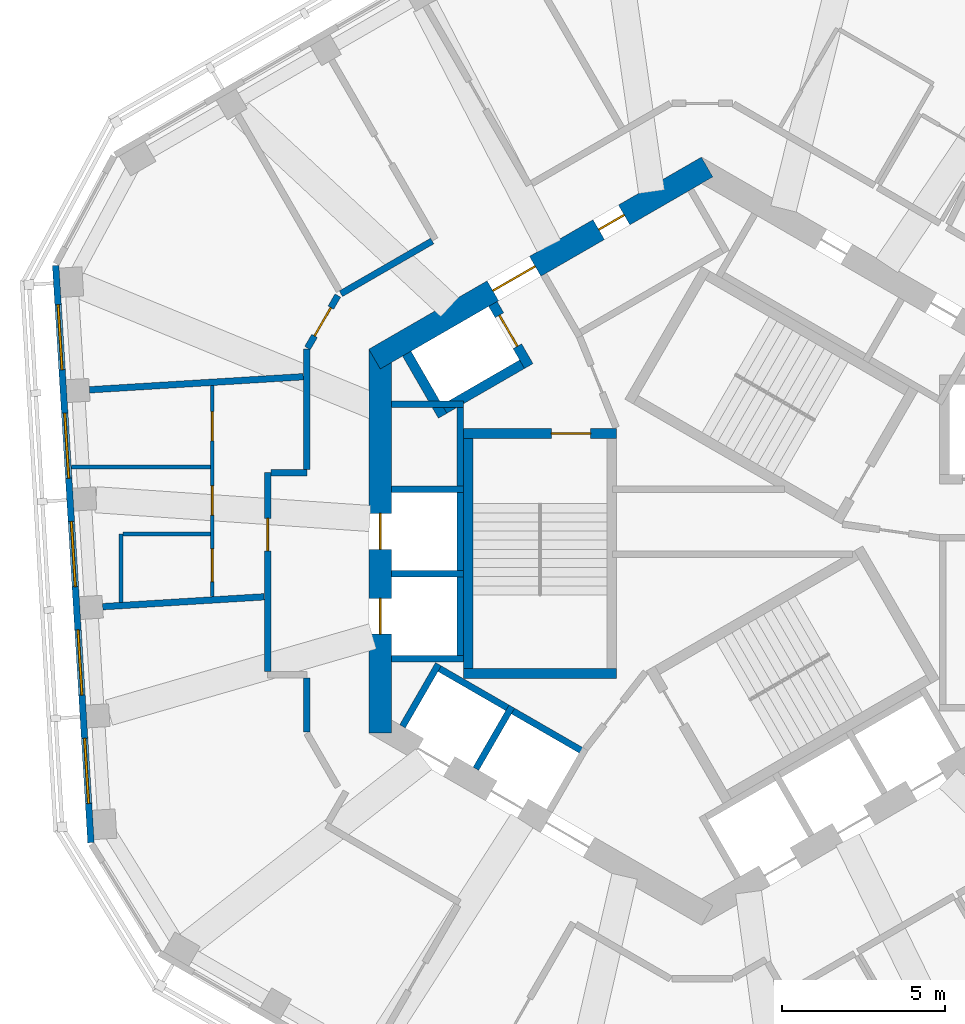
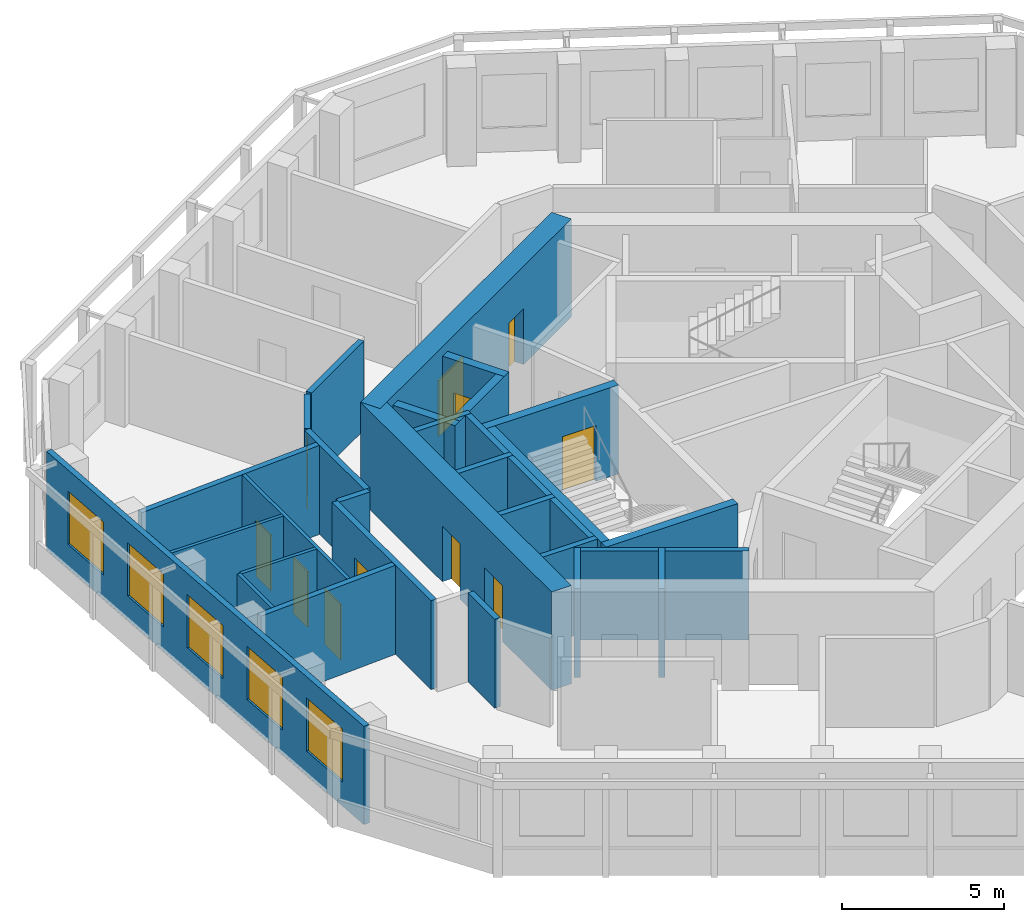
# One storey, part 5 of 11: 29 walls, 11 doors, 5 windows, 16 openings.
"""IFC4 building model written with IfcOpenShell, lengths in metres."""

import ifcopenshell
import ifcopenshell.guid

model = None  # the IFC model being written
_history = None  # IfcOwnerHistory: only IFC2X3 demands one
_inside = {}  # id of a spatial element -> (the spatial element, [elements in it])
_under = {}  # id of a project, library or spatial element -> (it, [spatial elements below it])
_declared = {}  # id of a project -> (the project, [libraries it declares])
_typed = {}  # id of a type object -> (the type object, [elements of that type])
_made_of = {}  # id of a material, layer set ... -> (it, [elements and type objects made of it])


def new_model(schema):
    """Start an empty IFC model of exactly this schema.

    Asked for "IFC4X3", IfcOpenShell would pick the latest addendum, in which some entities
    have other attributes; the version numbers below select the first issue.
    IFC2X3 requires an IfcOwnerHistory on every rooted entity: one is made here for all.
    """
    global model, _history
    if schema == "IFC4X3":
        model = ifcopenshell.file(schema_version=(4, 3, 0, 0))
    else:
        model = ifcopenshell.file(schema=schema)
    _inside.clear()
    _under.clear()
    _declared.clear()
    _typed.clear()
    _made_of.clear()
    _history = None
    if model.schema == "IFC2X3":
        org = make("IfcOrganization", Name="unknown")
        user = make(
            "IfcPersonAndOrganization",
            ThePerson=make("IfcPerson", FamilyName="unknown"),
            TheOrganization=org,
        )
        app = make(
            "IfcApplication",
            ApplicationDeveloper=org,
            Version="unknown",
            ApplicationFullName="unknown",
            ApplicationIdentifier="unknown",
        )
        _history = make(
            "IfcOwnerHistory",
            OwningUser=user,
            OwningApplication=app,
            ChangeAction="ADDED",
            CreationDate=0,
        )
    return model


def make(cls, **values):
    """One entity of the class cls with the attributes given. An attribute that is None is left unset."""
    return model.create_entity(
        cls, **{name: value for name, value in values.items() if value is not None}
    )


def rooted(cls, **values):
    """An entity with a GlobalId (a new one), such as an element, a storey or a relation."""
    return make(cls, GlobalId=ifcopenshell.guid.new(), OwnerHistory=_history, **values)


def si_unit(unit_type, name, prefix=None):
    """IfcSIUnit, for example si_unit("LENGTHUNIT", "METRE", prefix="MILLI")."""
    return make("IfcSIUnit", UnitType=unit_type, Prefix=prefix, Name=name)


def assignment(units):
    """IfcUnitAssignment: the units of a project."""
    return None if units is None else make("IfcUnitAssignment", Units=units)


def point(xyz):
    """IfcCartesianPoint."""
    return None if xyz is None else make("IfcCartesianPoint", Coordinates=xyz)


def direction(xyz):
    """IfcDirection."""
    return None if xyz is None else make("IfcDirection", DirectionRatios=xyz)


def frame(location, z_axis=None, x_axis=None):
    """IfcAxis2Placement3D, a coordinate frame: its origin and axes. An axis left out is left unset."""
    return make(
        "IfcAxis2Placement3D",
        Location=point(location),
        Axis=direction(z_axis),
        RefDirection=direction(x_axis),
    )


def frame_2d(location, x_axis=None):
    """IfcAxis2Placement2D, a coordinate frame in the plane: its origin and x axis."""
    return make(
        "IfcAxis2Placement2D", Location=point(location), RefDirection=direction(x_axis)
    )


def origin():
    """The frame at (0, 0, 0) with its axes left unset."""
    return frame((0.0, 0.0, 0.0))


def place(relative_to, where):
    """IfcLocalPlacement: puts the frame where relative to a parent placement (None: the world)."""
    return make(
        "IfcLocalPlacement", PlacementRelTo=relative_to, RelativePlacement=where
    )


def context(
    kind, dimensions, precision=None, world=None, true_north=None, identifier=None
):
    """IfcGeometricRepresentationContext, for example the 3D "Model" context."""
    return make(
        "IfcGeometricRepresentationContext",
        ContextIdentifier=identifier,
        ContextType=kind,
        CoordinateSpaceDimension=dimensions,
        Precision=precision,
        WorldCoordinateSystem=world,
        TrueNorth=true_north,
    )


def subcontext(parent, identifier, kind, view, scale=None):
    """IfcGeometricRepresentationSubContext, for example "Body" below "Model"."""
    return make(
        "IfcGeometricRepresentationSubContext",
        ContextIdentifier=identifier,
        ContextType=kind,
        ParentContext=parent,
        TargetScale=scale,
        TargetView=view,
    )


def project(units=None, contexts=None):
    """IfcProject with its units and contexts."""
    return rooted(
        "IfcProject",
        Name="project",
        RepresentationContexts=contexts,
        UnitsInContext=assignment(units),
    )


def spatial(cls, under=None, at=None, **own):
    """A site, building, storey or space (cls), placed at a placement, below another one or the project."""
    s = rooted(cls, ObjectPlacement=at, **own)
    if under is not None:
        _under.setdefault(under.id(), (under, []))[1].append(s)
    return s


def profile(cls, at=None, kind="AREA", **sizes):
    """A parametric profile (cls). Its sizes go by their IFC names, for example OverallWidth=200.0."""
    return make(cls, ProfileType=kind, Position=at, **sizes)


def rectangle(**sizes):
    """IfcRectangleProfileDef."""
    return profile("IfcRectangleProfileDef", **sizes)


def extrude(swept, where, along, depth):
    """IfcExtrudedAreaSolid: the profile swept, set in the frame where, extruded along a direction by depth."""
    return make(
        "IfcExtrudedAreaSolid",
        SweptArea=swept,
        Position=where,
        ExtrudedDirection=direction(along),
        Depth=depth,
    )


def shape(context_of_items, identifier, shape_type, items):
    """IfcShapeRepresentation: the items that make up one representation, for example the "Body"."""
    return make(
        "IfcShapeRepresentation",
        ContextOfItems=context_of_items,
        RepresentationIdentifier=identifier,
        RepresentationType=shape_type,
        Items=items,
    )


def material(Name=None, Category=None):
    """IfcMaterial."""
    return make("IfcMaterial", Name=Name, Category=Category)


def layer(
    of_material, thickness, ventilated=None, Name=None, Category=None, Priority=None
):
    """IfcMaterialLayer: one layer of a wall or slab, of a material (None: an air gap)."""
    return make(
        "IfcMaterialLayer",
        Material=of_material,
        LayerThickness=thickness,
        IsVentilated=ventilated,
        Name=Name,
        Category=Category,
        Priority=Priority,
    )


def layer_set(layers, Name=None):
    """IfcMaterialLayerSet."""
    return make("IfcMaterialLayerSet", MaterialLayers=layers, LayerSetName=Name)


def made_of(thing, what):
    """Note that an element or type object is made of a material, layer set ...; save() writes the relation."""
    if what is not None:
        _made_of.setdefault(what.id(), (what, []))[1].append(thing)
    return thing


def type_object(cls, material=None, **own):
    """A type object (cls), such as IfcWallType, which elements share."""
    return made_of(rooted(cls, **own), material)


def element(
    cls,
    number,
    at=None,
    inside=None,
    cuts=None,
    type_object=None,
    material=None,
    context=None,
    identifier="Body",
    shape_type=None,
    held_by="IfcProductDefinitionShape",
    body=None,
    shapes=None,
    **own,
):
    """One element of the class cls, such as IfcWall. Its Tag is "e" and its number.

    at: its placement. inside: the storey or other place that contains it. cuts: it is an
    opening in that element (IfcRelVoidsElement). A single representation is given by context,
    identifier, shape_type and body (its items); several are given by shapes. held_by: the class
    of the entity that holds the representations. save() writes the other relations.
    """
    e = rooted(cls, Tag="e%d" % number, ObjectPlacement=at, **own)
    if body is not None:
        shapes = [shape(context, identifier, shape_type, body)]
    if shapes is not None:
        e.Representation = make(held_by, Representations=shapes)
    if inside is not None:
        _inside.setdefault(inside.id(), (inside, []))[1].append(e)
    if cuts is not None:
        rooted(
            "IfcRelVoidsElement", RelatingBuildingElement=cuts, RelatedOpeningElement=e
        )
    if type_object is not None:
        _typed.setdefault(type_object.id(), (type_object, []))[1].append(e)
    return made_of(e, material)


def fill(opening, filler):
    """IfcRelFillsElement: the door or window that sits in an opening."""
    return rooted(
        "IfcRelFillsElement",
        RelatingOpeningElement=opening,
        RelatedBuildingElement=filler,
    )


def aggregate(whole, parts):
    """IfcRelAggregates: a whole, such as a stair, and the parts it consists of."""
    return rooted("IfcRelAggregates", RelatingObject=whole, RelatedObjects=parts)


def save(model, path):
    """Write the relations noted so far, then the file.

    IfcRelAggregates (storeys below a building ...), IfcRelContainedInSpatialStructure (elements
    in a storey), IfcRelDefinesByType, IfcRelAssociatesMaterial and IfcRelDeclares: one each for
    every whole, place, type object, material and project.
    """
    for whole, parts in _under.values():
        aggregate(whole, parts)
    for where, things in _inside.values():
        rooted(
            "IfcRelContainedInSpatialStructure",
            RelatedElements=things,
            RelatingStructure=where,
        )
    for kind, things in _typed.values():
        rooted("IfcRelDefinesByType", RelatedObjects=things, RelatingType=kind)
    for what, things in _made_of.values():
        rooted("IfcRelAssociatesMaterial", RelatedObjects=things, RelatingMaterial=what)
    for by, libraries in _declared.values():
        rooted("IfcRelDeclares", RelatingContext=by, RelatedDefinitions=libraries)
    model.write(path)


model = new_model("IFC4")

# Units and contexts
model_context = context("Model", 3, precision=1e-05, world=origin(), true_north=direction((0.0, 1.0)))
body_context = subcontext(model_context, "Body", "Model", "MODEL_VIEW")
ifc_project = project(units=[si_unit("LENGTHUNIT", "METRE"), si_unit("AREAUNIT", "SQUARE_METRE"), si_unit("VOLUMEUNIT", "CUBIC_METRE"), si_unit("PLANEANGLEUNIT", "RADIAN"), si_unit("MASSUNIT", "GRAM", prefix="KILO")], contexts=[model_context])

# Site, building, storey
site_placement = place(None, origin())
site = spatial("IfcSite", under=ifc_project, at=site_placement, CompositionType="ELEMENT")
building_placement = place(site_placement, origin())
building = spatial("IfcBuilding", under=site, at=building_placement, Name="Vanh Sen Convention Tower", CompositionType="ELEMENT")
storey_placement = place(building_placement, frame((0.0, 0.0, 296.800048828125)))
storey = spatial("IfcBuildingStorey", under=building, at=storey_placement, Name="L73", CompositionType="ELEMENT", Elevation=296.800048828125)

# Walls
ifc_material_1 = material(Name="Moisture-resistant gypsum board on steel studs", Category="steel")
ifc_layer_1 = layer(ifc_material_1, 0.1201171875)
ifc_layer_set_1 = layer_set([ifc_layer_1], Name="Moisture-resistant gypsum board on steel studs")
wall_type_1 = type_object("IfcWallType", Name="Bathroom partition 120", PredefinedType="PARTITIONING", material=ifc_layer_set_1)
wall_1_placement = place(storey_placement, frame((-19.32421875, 2.273193359375, 0.0), z_axis=(0.0, 0.0, 1.0), x_axis=(1.0, 0.0, 0.0)))
element("IfcWall", 1, at=wall_1_placement, inside=storey, type_object=wall_type_1, Name="Bathroom partition 120", PredefinedType="PARTITIONING", context=body_context, shape_type="SweptSolid", body=[
    extrude(rectangle(XDim=4.26318359375, YDim=0.1201171875, at=frame_2d((2.131591796875, 0.0))), origin(), (0.0, 0.0, 1.0), 3.349853515625),
])
wall_2_placement = place(storey_placement, frame((-17.801025390625, 0.226318359375, 0.0), z_axis=(0.0, 0.0, 1.0), x_axis=(0.0, -1.0, 0.0)))
element("IfcWall", 2, at=wall_2_placement, inside=storey, type_object=wall_type_1, Name="Bathroom partition 120", PredefinedType="PARTITIONING", context=body_context, shape_type="SweptSolid", body=[
    extrude(rectangle(XDim=2.10009765625, YDim=0.1201171875, at=frame_2d((1.050048828125, 0.0))), origin(), (0.0, 0.0, 1.0), 3.349853515625),
])
wall_3_placement = place(storey_placement, frame((-15.06103515625, 0.226318359375, 0.0), z_axis=(0.0, 0.0, 1.0), x_axis=(-1.0, 0.0, 0.0)))
element("IfcWall", 3, at=wall_3_placement, inside=storey, type_object=wall_type_1, Name="Bathroom partition 120", PredefinedType="PARTITIONING", context=body_context, shape_type="SweptSolid", body=[
    extrude(rectangle(XDim=2.679931640625, YDim=0.1201171875, at=frame_2d((1.33984375, 0.0))), origin(), (0.0, 0.0, 1.0), 3.349853515625),
])

# Wall, openings, doors
wall_4_placement = place(storey_placement, frame((-15.0009765625, 4.773193359375, 0.0), z_axis=(0.0, 0.0, 1.0), x_axis=(0.0, -1.0, 0.0)))
wall_4 = element("IfcWall", 4, at=wall_4_placement, inside=storey, type_object=wall_type_1, Name="Bathroom partition 120", PredefinedType="PARTITIONING", context=body_context, shape_type="SweptSolid", body=[
    extrude(rectangle(XDim=6.475830078125, YDim=0.1201171875, at=frame_2d((3.23779296875, 0.0))), origin(), (0.0, 0.0, 1.0), 3.349853515625),
])
opening_1_placement = place(wall_4_placement, frame((5.011474609375, 0.0, 0.0)))
opening_1 = element("IfcOpeningElement", 5, at=opening_1_placement, cuts=wall_4, Name="Opening D72111", PredefinedType="OPENING", context=body_context, shape_type="SweptSolid", body=[
    extrude(rectangle(XDim=1.0, YDim=2.10009765625, at=frame_2d((0.5, 1.050048828125))), frame((0.0, 0.070068359375, 0.0), z_axis=(0.0, -1.0, 0.0), x_axis=(1.0, 0.0, 0.0)), (0.0, 0.0, 1.0), 0.14013671875),
])
opening_2_placement = place(wall_4_placement, frame((0.800048828125, 0.0, 0.0)))
opening_2 = element("IfcOpeningElement", 6, at=opening_2_placement, cuts=wall_4, Name="Opening D72112", PredefinedType="OPENING", context=body_context, shape_type="SweptSolid", body=[
    extrude(rectangle(XDim=0.89990234375, YDim=2.10009765625, at=frame_2d((0.449951171875, 1.050048828125))), frame((0.0, 0.070068359375, 0.0), z_axis=(0.0, -1.0, 0.0), x_axis=(1.0, 0.0, 0.0)), (0.0, 0.0, 1.0), 0.14013671875),
])
opening_3_placement = place(wall_4_placement, frame((3.073486328125, 0.0, 0.0)))
opening_3 = element("IfcOpeningElement", 7, at=opening_3_placement, cuts=wall_4, Name="Opening D72113", PredefinedType="OPENING", context=body_context, shape_type="SweptSolid", body=[
    extrude(rectangle(XDim=0.89990234375, YDim=2.10009765625, at=frame_2d((0.449951171875, 1.050048828125))), frame((0.0, 0.070068359375, 0.0), z_axis=(0.0, -1.0, 0.0), x_axis=(1.0, 0.0, 0.0)), (0.0, 0.0, 1.0), 0.14013671875),
])
ifc_material_2 = material(Name="Laminate door in steel frame", Category="steel")
door_type_1 = type_object("IfcDoorType", Name="Accessible WC door 1000", OperationType="SINGLE_SWING_LEFT", PredefinedType="DOOR", material=ifc_material_2)
door_1_placement = place(opening_1_placement, origin())
door_1 = element("IfcDoor", 8, at=door_1_placement, inside=storey, type_object=door_type_1, Name="Accessible WC door D72111", OperationType="SINGLE_SWING_LEFT", OverallHeight=2.10009765625, OverallWidth=1.0, PredefinedType="DOOR", context=body_context, shape_type="SweptSolid", body=[
    extrude(rectangle(XDim=1.0, YDim=2.10009765625, at=frame_2d((0.5, 1.050048828125))), frame((0.0, 0.02490234375, 0.0), z_axis=(0.0, -1.0, 0.0), x_axis=(1.0, 0.0, 0.0)), (0.0, 0.0, 1.0), 0.050048828125),
])
fill(opening_1, door_1)
door_type_2 = type_object("IfcDoorType", Name="Room internal door 900", OperationType="SINGLE_SWING_LEFT", PredefinedType="DOOR", material=ifc_material_2)
door_2_placement = place(opening_2_placement, origin())
door_2 = element("IfcDoor", 9, at=door_2_placement, inside=storey, type_object=door_type_2, Name="Internal room door D72112", OperationType="SINGLE_SWING_LEFT", OverallHeight=2.10009765625, OverallWidth=0.89990234375, PredefinedType="DOOR", context=body_context, shape_type="SweptSolid", body=[
    extrude(rectangle(XDim=0.89990234375, YDim=2.10009765625, at=frame_2d((0.449951171875, 1.050048828125))), frame((0.0, 0.02490234375, 0.0), z_axis=(0.0, -1.0, 0.0), x_axis=(1.0, 0.0, 0.0)), (0.0, 0.0, 1.0), 0.050048828125),
])
fill(opening_2, door_2)
door_3_placement = place(opening_3_placement, origin())
door_3 = element("IfcDoor", 10, at=door_3_placement, inside=storey, type_object=door_type_2, Name="Internal room door D72113", OperationType="SINGLE_SWING_LEFT", OverallHeight=2.10009765625, OverallWidth=0.89990234375, PredefinedType="DOOR", context=body_context, shape_type="SweptSolid", body=[
    extrude(rectangle(XDim=0.89990234375, YDim=2.10009765625, at=frame_2d((0.449951171875, 1.050048828125))), frame((0.0, 0.02490234375, 0.0), z_axis=(0.0, -1.0, 0.0), x_axis=(1.0, 0.0, 0.0)), (0.0, 0.0, 1.0), 0.050048828125),
])
fill(opening_3, door_3)

ifc_material_3 = material(Name="Concrete C60/75", Category="concrete")
ifc_layer_2 = layer(ifc_material_3, 0.699951171875)
ifc_layer_set_2 = layer_set([ifc_layer_2], Name="Concrete C60/75")
wall_type_2 = type_object("IfcWallType", Name="Core outer wall 700 C60/75", PredefinedType="SHEAR", material=ifc_layer_set_2)
wall_5_placement = place(storey_placement, frame((0.175048828125, 11.474853515625, 0.0), z_axis=(0.0, 0.0, 1.0), x_axis=(-0.866026453023, -0.499998182661, 0.0)))
wall_5 = element("IfcWall", 11, at=wall_5_placement, inside=storey, type_object=wall_type_2, Name="Core wall face NW L73", PredefinedType="SHEAR", context=body_context, shape_type="SweptSolid", body=[
    extrude(rectangle(XDim=11.77783203125, YDim=0.699951171875, at=frame_2d((5.888916015625, 0.0))), origin(), (0.0, 0.0, 1.0), 3.699951171875),
])
opening_4_placement = place(wall_5_placement, frame((6.089111328125, 0.0, 0.0)))
opening_4 = element("IfcOpeningElement", 12, at=opening_4_placement, cuts=wall_5, Name="Opening D72002", PredefinedType="OPENING", context=body_context, shape_type="SweptSolid", body=[
    extrude(rectangle(XDim=1.5, YDim=2.10009765625, at=frame_2d((0.75, 1.050048828125))), frame((0.0, 0.35986328125, 0.0), z_axis=(0.0, -1.0, 0.0), x_axis=(1.0, 0.0, 0.0)), (0.0, 0.0, 1.0), 0.719970703125),
])
opening_5_placement = place(wall_5_placement, frame((2.93896484375, 0.0, 0.0)))
opening_5 = element("IfcOpeningElement", 13, at=opening_5_placement, cuts=wall_5, Name="Opening D72013", PredefinedType="OPENING", context=body_context, shape_type="SweptSolid", body=[
    extrude(rectangle(XDim=0.89990234375, YDim=2.10009765625, at=frame_2d((0.449951171875, 1.050048828125))), frame((0.0, 0.35986328125, 0.0), z_axis=(0.0, -1.0, 0.0), x_axis=(1.0, 0.0, 0.0)), (0.0, 0.0, 1.0), 0.719970703125),
])
ifc_material_4 = material(Name="Steel S355", Category="steel")
door_type_3 = type_object("IfcDoorType", Name="Plant door 900", OperationType="SINGLE_SWING_LEFT", PredefinedType="DOOR", material=ifc_material_4)
door_4_placement = place(opening_5_placement, origin())
door_4 = element("IfcDoor", 14, at=door_4_placement, inside=storey, type_object=door_type_3, Name="Plant door D72013", OperationType="SINGLE_SWING_LEFT", OverallHeight=2.10009765625, OverallWidth=0.89990234375, PredefinedType="DOOR", context=body_context, shape_type="SweptSolid", body=[
    extrude(rectangle(XDim=0.89990234375, YDim=2.10009765625, at=frame_2d((0.449951171875, 1.050048828125))), frame((0.0, 0.02490234375, 0.0), z_axis=(0.0, -1.0, 0.0), x_axis=(1.0, 0.0, 0.0)), (0.0, 0.0, 1.0), 0.050048828125),
])
fill(opening_5, door_4)
door_type_4 = type_object("IfcDoorType", Name="Stair lobby door 1500", OperationType="DOUBLE_DOOR_SINGLE_SWING", PredefinedType="DOOR", material=ifc_material_4)
door_5_placement = place(opening_4_placement, origin())
door_5 = element("IfcDoor", 15, at=door_5_placement, inside=storey, type_object=door_type_4, Name="Stair lobby door D72002", OperationType="DOUBLE_DOOR_SINGLE_SWING", OverallHeight=2.10009765625, OverallWidth=1.5, PredefinedType="DOOR", context=body_context, shape_type="SweptSolid", body=[
    extrude(rectangle(XDim=1.5, YDim=2.10009765625, at=frame_2d((0.75, 1.050048828125))), frame((0.0, 0.02490234375, 0.0), z_axis=(0.0, -1.0, 0.0), x_axis=(1.0, 0.0, 0.0)), (0.0, 0.0, 1.0), 0.050048828125),
])
fill(opening_4, door_5)

wall_6_placement = place(storey_placement, frame((-9.85009765625, 5.888916015625, 0.0), z_axis=(0.0, 0.0, 1.0), x_axis=(0.0, -1.0, 0.0)))
wall_6 = element("IfcWall", 16, at=wall_6_placement, inside=storey, type_object=wall_type_2, Name="Core wall face W L73", PredefinedType="SHEAR", context=body_context, shape_type="SweptSolid", body=[
    extrude(rectangle(XDim=11.77783203125, YDim=0.699951171875, at=frame_2d((5.888916015625, 0.0))), origin(), (0.0, 0.0, 1.0), 3.699951171875),
])
opening_6_placement = place(wall_6_placement, frame((5.0390625, 0.0, 0.0)))
opening_6 = element("IfcOpeningElement", 17, at=opening_6_placement, cuts=wall_6, Name="Opening LD-HR1", PredefinedType="OPENING", context=body_context, shape_type="SweptSolid", body=[
    extrude(rectangle(XDim=1.10009765625, YDim=2.10009765625, at=frame_2d((0.550048828125, 1.050048828125))), frame((0.0, 0.35986328125, 0.0), z_axis=(0.0, -1.0, 0.0), x_axis=(1.0, 0.0, 0.0)), (0.0, 0.0, 1.0), 0.719970703125),
])
opening_7_placement = place(wall_6_placement, frame((7.638916015625, 0.0, 0.0)))
opening_7 = element("IfcOpeningElement", 18, at=opening_7_placement, cuts=wall_6, Name="Opening LD-HR2", PredefinedType="OPENING", context=body_context, shape_type="SweptSolid", body=[
    extrude(rectangle(XDim=1.10009765625, YDim=2.10009765625, at=frame_2d((0.550048828125, 1.050048828125))), frame((0.0, 0.35986328125, 0.0), z_axis=(0.0, -1.0, 0.0), x_axis=(1.0, 0.0, 0.0)), (0.0, 0.0, 1.0), 0.719970703125),
])
ifc_material_5 = material(Name="Stainless steel", Category="steel")
door_type_5 = type_object("IfcDoorType", Name="Lift landing door 1100", OperationType="DOUBLE_DOOR_SLIDING", PredefinedType="DOOR", material=ifc_material_5)
door_6_placement = place(opening_6_placement, origin())
door_6 = element("IfcDoor", 19, at=door_6_placement, inside=storey, type_object=door_type_5, Name="Lift HR1 landing door LD-HR1", OperationType="DOUBLE_DOOR_SLIDING", OverallHeight=2.10009765625, OverallWidth=1.10009765625, PredefinedType="DOOR", context=body_context, shape_type="SweptSolid", body=[
    extrude(rectangle(XDim=1.10009765625, YDim=2.10009765625, at=frame_2d((0.550048828125, 1.050048828125))), frame((0.0, 0.02490234375, 0.0), z_axis=(0.0, -1.0, 0.0), x_axis=(1.0, 0.0, 0.0)), (0.0, 0.0, 1.0), 0.050048828125),
])
fill(opening_6, door_6)
door_7_placement = place(opening_7_placement, origin())
door_7 = element("IfcDoor", 20, at=door_7_placement, inside=storey, type_object=door_type_5, Name="Lift HR2 landing door LD-HR2", OperationType="DOUBLE_DOOR_SLIDING", OverallHeight=2.10009765625, OverallWidth=1.10009765625, PredefinedType="DOOR", context=body_context, shape_type="SweptSolid", body=[
    extrude(rectangle(XDim=1.10009765625, YDim=2.10009765625, at=frame_2d((0.550048828125, 1.050048828125))), frame((0.0, 0.02490234375, 0.0), z_axis=(0.0, -1.0, 0.0), x_axis=(1.0, 0.0, 0.0)), (0.0, 0.0, 1.0), 0.050048828125),
])
fill(opening_7, door_7)

# Wall, opening, door
ifc_material_6 = material(Name="Gypsum board on steel studs with mineral wool", Category="steel")
ifc_layer_3 = layer(ifc_material_6, 0.199951171875)
ifc_layer_set_3 = layer_set([ifc_layer_3], Name="Gypsum board on steel studs with mineral wool")
wall_type_3 = type_object("IfcWallType", Name="Corridor partition wall 200", PredefinedType="PARTITIONING", material=ifc_layer_set_3)
wall_7_placement = place(storey_placement, frame((-13.301025390625, 2.10107421875, 0.0), z_axis=(0.0, 0.0, 1.0), x_axis=(0.0, -1.0, 0.0)))
wall_7 = element("IfcWall", 21, at=wall_7_placement, inside=storey, type_object=wall_type_3, Name="Corridor partition wall 200", PredefinedType="PARTITIONING", context=body_context, shape_type="SweptSolid", body=[
    extrude(rectangle(XDim=6.10205078125, YDim=0.199951171875, at=frame_2d((3.051025390625, 0.0))), origin(), (0.0, 0.0, 1.0), 3.349853515625),
])
opening_8_placement = place(wall_7_placement, frame((1.39990234375, 0.0, 0.0)))
opening_8 = element("IfcOpeningElement", 22, at=opening_8_placement, cuts=wall_7, Name="Opening D72110", PredefinedType="OPENING", context=body_context, shape_type="SweptSolid", body=[
    extrude(rectangle(XDim=1.0, YDim=2.10009765625, at=frame_2d((0.5, 1.050048828125))), frame((0.0, 0.10986328125, 0.0), z_axis=(0.0, -1.0, 0.0), x_axis=(1.0, 0.0, 0.0)), (0.0, 0.0, 1.0), 0.219970703125),
])
ifc_material_7 = material(Name="Timber fire door in steel frame", Category="steel")
door_type_6 = type_object("IfcDoorType", Name="Floor room door 1000", OperationType="SINGLE_SWING_LEFT", PredefinedType="DOOR", material=ifc_material_7)
door_8_placement = place(opening_8_placement, origin())
door_8 = element("IfcDoor", 23, at=door_8_placement, inside=storey, type_object=door_type_6, Name="Meeting and amenity room door D72110", OperationType="SINGLE_SWING_LEFT", OverallHeight=2.10009765625, OverallWidth=1.0, PredefinedType="DOOR", context=body_context, shape_type="SweptSolid", body=[
    extrude(rectangle(XDim=1.0, YDim=2.10009765625, at=frame_2d((0.5, 1.050048828125))), frame((0.0, 0.02490234375, 0.0), z_axis=(0.0, -1.0, 0.0), x_axis=(1.0, 0.0, 0.0)), (0.0, 0.0, 1.0), 0.050048828125),
])
fill(opening_8, door_8)

# Walls
wall_8_placement = place(storey_placement, frame((-12.10009765625, -4.200927734375, 0.0), z_axis=(0.0, 0.0, 1.0), x_axis=(0.0, -1.0, 0.0)))
element("IfcWall", 24, at=wall_8_placement, inside=storey, type_object=wall_type_3, Name="Corridor partition wall 200", PredefinedType="PARTITIONING", context=body_context, shape_type="SweptSolid", body=[
    extrude(rectangle(XDim=1.648193359375, YDim=0.199951171875, at=frame_2d((0.82421875, 0.0))), origin(), (0.0, 0.0, 1.0), 3.349853515625),
])
wall_9_placement = place(storey_placement, frame((-12.10009765625, 2.10107421875, 0.0), z_axis=(0.0, 0.0, 1.0), x_axis=(-1.0, 0.0, 0.0)))
element("IfcWall", 25, at=wall_9_placement, inside=storey, type_object=wall_type_3, Name="Corridor partition wall 200", PredefinedType="PARTITIONING", context=body_context, shape_type="SweptSolid", body=[
    extrude(rectangle(XDim=1.100830078125, YDim=0.199951171875, at=frame_2d((0.55029296875, 0.0))), origin(), (0.0, 0.0, 1.0), 3.349853515625),
])
wall_10_placement = place(storey_placement, frame((-12.10009765625, 5.888916015625, 0.0), z_axis=(0.0, 0.0, 1.0), x_axis=(0.0, -1.0, 0.0)))
element("IfcWall", 26, at=wall_10_placement, inside=storey, type_object=wall_type_3, Name="Corridor partition wall 200", PredefinedType="PARTITIONING", context=body_context, shape_type="SweptSolid", body=[
    extrude(rectangle(XDim=3.68798828125, YDim=0.199951171875, at=frame_2d((1.843994140625, 0.0))), origin(), (0.0, 0.0, 1.0), 3.349853515625),
])

# Wall, opening, door
wall_11_placement = place(storey_placement, frame((-11.14990234375, 7.534423828125, 0.0), z_axis=(0.0, 0.0, 1.0), x_axis=(-0.500063286585, -0.865988862174, 0.0)))
wall_11 = element("IfcWall", 27, at=wall_11_placement, inside=storey, type_object=wall_type_3, Name="Corridor partition wall 200", PredefinedType="PARTITIONING", context=body_context, shape_type="SweptSolid", body=[
    extrude(rectangle(XDim=1.860107421875, YDim=0.199951171875, at=frame_2d((0.93017578125, 0.0))), origin(), (0.0, 0.0, 1.0), 3.349853515625),
])
opening_9_placement = place(wall_11_placement, frame((0.43017578125, 0.0, 0.0)))
opening_9 = element("IfcOpeningElement", 28, at=opening_9_placement, cuts=wall_11, Name="Opening D72109", PredefinedType="OPENING", context=body_context, shape_type="SweptSolid", body=[
    extrude(rectangle(XDim=1.0, YDim=2.10009765625, at=frame_2d((0.5, 1.050048828125))), frame((0.0, 0.10986328125, 0.0), z_axis=(0.0, -1.0, 0.0), x_axis=(1.0, 0.0, 0.0)), (0.0, 0.0, 1.0), 0.219970703125),
])
ifc_material_8 = material(Name="Glazed fire door in steel frame", Category="steel")
door_type_7 = type_object("IfcDoorType", Name="Tenant entrance door 1000", OperationType="SINGLE_SWING_LEFT", PredefinedType="DOOR", material=ifc_material_8)
door_9_placement = place(opening_9_placement, origin())
door_9 = element("IfcDoor", 29, at=door_9_placement, inside=storey, type_object=door_type_7, Name="Tenant suite entrance door D72109", OperationType="SINGLE_SWING_LEFT", OverallHeight=2.10009765625, OverallWidth=1.0, PredefinedType="DOOR", context=body_context, shape_type="SweptSolid", body=[
    extrude(rectangle(XDim=1.0, YDim=2.10009765625, at=frame_2d((0.5, 1.050048828125))), frame((0.0, 0.02490234375, 0.0), z_axis=(0.0, -1.0, 0.0), x_axis=(1.0, 0.0, 0.0)), (0.0, 0.0, 1.0), 0.050048828125),
])
fill(opening_9, door_9)

# Wall
wall_12_placement = place(storey_placement, frame((-8.2568359375, 9.204833984375, 0.0), z_axis=(0.0, 0.0, 1.0), x_axis=(-0.866030838723, -0.499990586292, 0.0)))
element("IfcWall", 30, at=wall_12_placement, inside=storey, type_object=wall_type_3, Name="Corridor partition wall 200", PredefinedType="PARTITIONING", context=body_context, shape_type="SweptSolid", body=[
    extrude(rectangle(XDim=3.2314453125, YDim=0.199951171875, at=frame_2d((1.61572265625, 0.0))), origin(), (0.0, 0.0, 1.0), 3.349853515625),
])

# Wall, openings, windows
ifc_material_9 = material(Name="Insulated lightweight infill wall")
ifc_layer_4 = layer(ifc_material_9, 0.199951171875)
ifc_layer_set_4 = layer_set([ifc_layer_4], Name="Insulated lightweight infill wall")
wall_type_4 = type_object("IfcWallType", Name="External wall 200", PredefinedType="STANDARD", material=ifc_layer_set_4)
wall_13_placement = place(storey_placement, frame((-19.802978515625, 8.4541015625, 0.0), z_axis=(0.0, 0.0, 1.0), x_axis=(0.061036717565, -0.998135521414, 0.0)))
wall_13 = element("IfcWall", 31, at=wall_13_placement, inside=storey, type_object=wall_type_4, Name="External wall W L73", PredefinedType="STANDARD", context=body_context, shape_type="SweptSolid", body=[
    extrude(rectangle(XDim=17.7314453125, YDim=0.199951171875, at=frame_2d((8.86572265625, 0.0))), origin(), (0.0, 0.0, 1.0), 3.699951171875),
])
opening_10_placement = place(wall_13_placement, frame((1.20166015625, 0.0, 0.89990234375)))
opening_10 = element("IfcOpeningElement", 32, at=opening_10_placement, cuts=wall_13, Name="Opening WO5-W1", PredefinedType="OPENING", context=body_context, shape_type="SweptSolid", body=[
    extrude(rectangle(XDim=2.0, YDim=2.0, at=frame_2d((1.0, 1.0))), frame((0.0, 0.10986328125, 0.0), z_axis=(0.0, -1.0, 0.0), x_axis=(1.0, 0.0, 0.0)), (0.0, 0.0, 1.0), 0.219970703125),
])
opening_11_placement = place(wall_13_placement, frame((4.533203125, 0.0, 0.89990234375)))
opening_11 = element("IfcOpeningElement", 33, at=opening_11_placement, cuts=wall_13, Name="Opening WO5-W2", PredefinedType="OPENING", context=body_context, shape_type="SweptSolid", body=[
    extrude(rectangle(XDim=2.0, YDim=2.0, at=frame_2d((1.0, 1.0))), frame((0.0, 0.10986328125, 0.0), z_axis=(0.0, -1.0, 0.0), x_axis=(1.0, 0.0, 0.0)), (0.0, 0.0, 1.0), 0.219970703125),
])
opening_12_placement = place(wall_13_placement, frame((7.864990234375, 0.0, 0.89990234375)))
opening_12 = element("IfcOpeningElement", 34, at=opening_12_placement, cuts=wall_13, Name="Opening WO5-W3", PredefinedType="OPENING", context=body_context, shape_type="SweptSolid", body=[
    extrude(rectangle(XDim=2.0, YDim=2.0, at=frame_2d((1.0, 1.0))), frame((0.0, 0.10986328125, 0.0), z_axis=(0.0, -1.0, 0.0), x_axis=(1.0, 0.0, 0.0)), (0.0, 0.0, 1.0), 0.219970703125),
])
opening_13_placement = place(wall_13_placement, frame((11.196533203125, 0.0, 0.89990234375)))
opening_13 = element("IfcOpeningElement", 35, at=opening_13_placement, cuts=wall_13, Name="Opening WO5-W4", PredefinedType="OPENING", context=body_context, shape_type="SweptSolid", body=[
    extrude(rectangle(XDim=2.0, YDim=2.0, at=frame_2d((1.0, 1.0))), frame((0.0, 0.10986328125, 0.0), z_axis=(0.0, -1.0, 0.0), x_axis=(1.0, 0.0, 0.0)), (0.0, 0.0, 1.0), 0.219970703125),
])
opening_14_placement = place(wall_13_placement, frame((14.5283203125, 0.0, 0.89990234375)))
opening_14 = element("IfcOpeningElement", 36, at=opening_14_placement, cuts=wall_13, Name="Opening WO5-W5", PredefinedType="OPENING", context=body_context, shape_type="SweptSolid", body=[
    extrude(rectangle(XDim=2.0, YDim=2.0, at=frame_2d((1.0, 1.0))), frame((0.0, 0.10986328125, 0.0), z_axis=(0.0, -1.0, 0.0), x_axis=(1.0, 0.0, 0.0)), (0.0, 0.0, 1.0), 0.219970703125),
])
ifc_material_10 = material(Name="Aluminium frame with clear low-emissivity glass", Category="aluminium")
window_type = type_object("IfcWindowType", Name="Office window 2000 x 2000", PartitioningType="SINGLE_PANEL", PredefinedType="WINDOW", material=ifc_material_10)
window_1_placement = place(opening_10_placement, origin())
window_1 = element("IfcWindow", 37, at=window_1_placement, inside=storey, type_object=window_type, Name="Window WO5-W1", OverallHeight=2.0, OverallWidth=2.0, PartitioningType="SINGLE_PANEL", PredefinedType="WINDOW", context=body_context, shape_type="SweptSolid", body=[
    extrude(rectangle(XDim=2.0, YDim=2.0, at=frame_2d((1.0, 1.0))), frame((0.0, 0.030029296875, 0.0), z_axis=(0.0, -1.0, 0.0), x_axis=(1.0, 0.0, 0.0)), (0.0, 0.0, 1.0), 0.06005859375),
])
fill(opening_10, window_1)
window_2_placement = place(opening_11_placement, origin())
window_2 = element("IfcWindow", 38, at=window_2_placement, inside=storey, type_object=window_type, Name="Window WO5-W2", OverallHeight=2.0, OverallWidth=2.0, PartitioningType="SINGLE_PANEL", PredefinedType="WINDOW", context=body_context, shape_type="SweptSolid", body=[
    extrude(rectangle(XDim=2.0, YDim=2.0, at=frame_2d((1.0, 1.0))), frame((0.0, 0.030029296875, 0.0), z_axis=(0.0, -1.0, 0.0), x_axis=(1.0, 0.0, 0.0)), (0.0, 0.0, 1.0), 0.06005859375),
])
fill(opening_11, window_2)
window_3_placement = place(opening_12_placement, origin())
window_3 = element("IfcWindow", 39, at=window_3_placement, inside=storey, type_object=window_type, Name="Window WO5-W3", OverallHeight=2.0, OverallWidth=2.0, PartitioningType="SINGLE_PANEL", PredefinedType="WINDOW", context=body_context, shape_type="SweptSolid", body=[
    extrude(rectangle(XDim=2.0, YDim=2.0, at=frame_2d((1.0, 1.0))), frame((0.0, 0.030029296875, 0.0), z_axis=(0.0, -1.0, 0.0), x_axis=(1.0, 0.0, 0.0)), (0.0, 0.0, 1.0), 0.06005859375),
])
fill(opening_12, window_3)
window_4_placement = place(opening_13_placement, origin())
window_4 = element("IfcWindow", 40, at=window_4_placement, inside=storey, type_object=window_type, Name="Window WO5-W4", OverallHeight=2.0, OverallWidth=2.0, PartitioningType="SINGLE_PANEL", PredefinedType="WINDOW", context=body_context, shape_type="SweptSolid", body=[
    extrude(rectangle(XDim=2.0, YDim=2.0, at=frame_2d((1.0, 1.0))), frame((0.0, 0.030029296875, 0.0), z_axis=(0.0, -1.0, 0.0), x_axis=(1.0, 0.0, 0.0)), (0.0, 0.0, 1.0), 0.06005859375),
])
fill(opening_13, window_4)
window_5_placement = place(opening_14_placement, origin())
window_5 = element("IfcWindow", 41, at=window_5_placement, inside=storey, type_object=window_type, Name="Window WO5-W5", OverallHeight=2.0, OverallWidth=2.0, PartitioningType="SINGLE_PANEL", PredefinedType="WINDOW", context=body_context, shape_type="SweptSolid", body=[
    extrude(rectangle(XDim=2.0, YDim=2.0, at=frame_2d((1.0, 1.0))), frame((0.0, 0.030029296875, 0.0), z_axis=(0.0, -1.0, 0.0), x_axis=(1.0, 0.0, 0.0)), (0.0, 0.0, 1.0), 0.06005859375),
])
fill(opening_14, window_5)

# Wall, opening, door
ifc_layer_5 = layer(ifc_material_3, 0.300048828125)
ifc_layer_set_5 = layer_set([ifc_layer_5], Name="Concrete C60/75")
wall_type_5 = type_object("IfcWallType", Name="Fire-fighting lift shaft wall 300", PredefinedType="SHEAR", material=ifc_layer_set_5)
wall_14_placement = place(storey_placement, frame((-5.29541015625, 5.3720703125, 0.0), z_axis=(0.0, 0.0, 1.0), x_axis=(-0.500077893725, 0.86598042715, 0.0)))
wall_14 = element("IfcWall", 42, at=wall_14_placement, inside=storey, type_object=wall_type_5, Name="Fire-fighting lift shaft wall L73", PredefinedType="SHEAR", context=body_context, shape_type="SweptSolid", body=[
    extrude(rectangle(XDim=2.199951171875, YDim=0.300048828125, at=frame_2d((1.10009765625, 0.0))), origin(), (0.0, 0.0, 1.0), 3.349853515625),
])
opening_15_placement = place(wall_14_placement, frame((0.699951171875, 0.0, 0.0)))
opening_15 = element("IfcOpeningElement", 43, at=opening_15_placement, cuts=wall_14, Name="Opening LD-FF2", PredefinedType="OPENING", context=body_context, shape_type="SweptSolid", body=[
    extrude(rectangle(XDim=1.10009765625, YDim=2.10009765625, at=frame_2d((0.550048828125, 1.050048828125))), frame((0.0, 0.159912109375, 0.0), z_axis=(0.0, -1.0, 0.0), x_axis=(1.0, 0.0, 0.0)), (0.0, 0.0, 1.0), 0.320068359375),
])
door_type_8 = type_object("IfcDoorType", Name="Fire-fighting lift landing door 1100", OperationType="DOUBLE_DOOR_SLIDING", PredefinedType="DOOR", material=ifc_material_5)
door_10_placement = place(opening_15_placement, origin())
door_10 = element("IfcDoor", 44, at=door_10_placement, inside=storey, type_object=door_type_8, Name="Lift FF2 landing door LD-FF2", OperationType="DOUBLE_DOOR_SLIDING", OverallHeight=2.10009765625, OverallWidth=1.10009765625, PredefinedType="DOOR", context=body_context, shape_type="SweptSolid", body=[
    extrude(rectangle(XDim=1.10009765625, YDim=2.10009765625, at=frame_2d((0.550048828125, 1.050048828125))), frame((0.0, 0.02490234375, 0.0), z_axis=(0.0, -1.0, 0.0), x_axis=(1.0, 0.0, 0.0)), (0.0, 0.0, 1.0), 0.050048828125),
])
fill(opening_15, door_10)

# Walls
wall_15_placement = place(storey_placement, frame((-5.240478515625, 5.576904296875, 0.0), z_axis=(0.0, 0.0, 1.0), x_axis=(-0.866014461049, -0.500018952895, 0.0)))
element("IfcWall", 45, at=wall_15_placement, inside=storey, type_object=wall_type_5, Name="Fire-fighting lift shaft wall L73", PredefinedType="SHEAR", context=body_context, shape_type="SweptSolid", body=[
    extrude(rectangle(XDim=3.349853515625, YDim=0.300048828125, at=frame_2d((1.6748046875, 0.0))), origin(), (0.0, 0.0, 1.0), 3.349853515625),
])
wall_16_placement = place(storey_placement, frame((-7.936767578125, 3.846923828125, 0.0), z_axis=(0.0, 0.0, 1.0), x_axis=(-0.50002983664, 0.866008176907, 0.0)))
element("IfcWall", 46, at=wall_16_placement, inside=storey, type_object=wall_type_5, Name="Fire-fighting lift shaft wall L73", PredefinedType="SHEAR", context=body_context, shape_type="SweptSolid", body=[
    extrude(rectangle(XDim=2.199951171875, YDim=0.300048828125, at=frame_2d((1.10009765625, 0.0))), origin(), (0.0, 0.0, 1.0), 3.349853515625),
])
ifc_material_11 = material(Name="Concrete C40/50", Category="concrete")
ifc_layer_6 = layer(ifc_material_11, 0.199951171875)
ifc_layer_set_6 = layer_set([ifc_layer_6], Name="Concrete C40/50")
wall_type_6 = type_object("IfcWallType", Name="Lift shaft wall 200", PredefinedType="PARTITIONING", material=ifc_layer_set_6)
wall_17_placement = place(storey_placement, frame((-7.39990234375, 4.300048828125, 0.0), z_axis=(0.0, 0.0, 1.0), x_axis=(0.0, -1.0, 0.0)))
element("IfcWall", 47, at=wall_17_placement, inside=storey, type_object=wall_type_6, Name="Lift shaft wall L73", PredefinedType="PARTITIONING", context=body_context, shape_type="SweptSolid", body=[
    extrude(rectangle(XDim=8.0, YDim=0.199951171875, at=frame_2d((4.0, 0.0))), origin(), (0.0, 0.0, 1.0), 3.349853515625),
])
for number, where, z_axis, x_axis, name in (
    (48, (-7.300048828125, 4.199951171875, 0.0), (0.0, 0.0, 1.0), (-1.0, 0.0, 0.0), "Lift shaft wall L73"),
    (49, (-7.300048828125, 1.60009765625, 0.0), (0.0, 0.0, 1.0), (-1.0, 0.0, 0.0), "Lift shaft wall L73"),
    (50, (-7.300048828125, -1.0, 0.0), (0.0, 0.0, 1.0), (-1.0, 0.0, 0.0), "Lift shaft wall L73"),
    (51, (-7.300048828125, -3.60009765625, 0.0), (0.0, 0.0, 1.0), (-1.0, 0.0, 0.0), "Lift shaft wall L73"),
):
    element("IfcWall", number, at=place(storey_placement, frame(where, z_axis=z_axis, x_axis=x_axis)), inside=storey, type_object=wall_type_6, Name=name, PredefinedType="PARTITIONING", context=body_context, shape_type="SweptSolid", body=[
        extrude(rectangle(XDim=2.199951171875, YDim=0.199951171875, at=frame_2d((1.10009765625, 0.0))), origin(), (0.0, 0.0, 1.0), 3.349853515625),
    ])
wall_18_placement = place(storey_placement, frame((-8.203369140625, -3.80859375, 0.0), z_axis=(0.0, 0.0, 1.0), x_axis=(0.866028230842, -0.499995103361, 0.0)))
element("IfcWall", 52, at=wall_18_placement, inside=storey, type_object=wall_type_6, Name="Lift shaft wall L73", PredefinedType="PARTITIONING", context=body_context, shape_type="SweptSolid", body=[
    extrude(rectangle(XDim=5.39990234375, YDim=0.199951171875, at=frame_2d((2.699951171875, 0.0))), origin(), (0.0, 0.0, 1.0), 3.349853515625),
])
for number, where, z_axis, x_axis, name in (
    (53, (-8.066650390625, -3.77197265625, 0.0), (0.0, 0.0, 1.0), (-0.50002983664, -0.866008176907, 0.0), "Lift shaft wall L73"),
    (54, (-5.815185546875, -5.072021484375, 0.0), (0.0, 0.0, 1.0), (-0.499946605688, -0.86605622881, 0.0), "Lift shaft wall L73"),
):
    element("IfcWall", number, at=place(storey_placement, frame(where, z_axis=z_axis, x_axis=x_axis)), inside=storey, type_object=wall_type_6, Name=name, PredefinedType="PARTITIONING", context=body_context, shape_type="SweptSolid", body=[
        extrude(rectangle(XDim=2.199951171875, YDim=0.199951171875, at=frame_2d((1.10009765625, 0.0))), origin(), (0.0, 0.0, 1.0), 3.349853515625),
    ])

# Wall, opening, door
ifc_layer_7 = layer(ifc_material_3, 0.300048828125)
ifc_layer_set_7 = layer_set([ifc_layer_7], Name="Concrete C60/75")
wall_type_7 = type_object("IfcWallType", Name="Stair wall 300", PredefinedType="SHEAR", material=ifc_layer_set_7)
wall_19_placement = place(storey_placement, frame((-2.60009765625, 3.300048828125, 0.0), z_axis=(0.0, 0.0, 1.0), x_axis=(-1.0, 0.0, 0.0)))
wall_19 = element("IfcWall", 55, at=wall_19_placement, inside=storey, type_object=wall_type_7, Name="Stair wall L73", PredefinedType="SHEAR", context=body_context, shape_type="SweptSolid", body=[
    extrude(rectangle(XDim=4.699951171875, YDim=0.300048828125, at=frame_2d((2.35009765625, 0.0))), origin(), (0.0, 0.0, 1.0), 3.349853515625),
])
opening_16_placement = place(wall_19_placement, frame((0.800048828125, 0.0, 0.0)))
opening_16 = element("IfcOpeningElement", 56, at=opening_16_placement, cuts=wall_19, Name="Opening D72005", PredefinedType="OPENING", context=body_context, shape_type="SweptSolid", body=[
    extrude(rectangle(XDim=1.199951171875, YDim=2.10009765625, at=frame_2d((0.60009765625, 1.050048828125))), frame((0.0, 0.159912109375, 0.0), z_axis=(0.0, -1.0, 0.0), x_axis=(1.0, 0.0, 0.0)), (0.0, 0.0, 1.0), 0.320068359375),
])
door_type_9 = type_object("IfcDoorType", Name="Stair door 1200", OperationType="SINGLE_SWING_RIGHT", PredefinedType="DOOR", material=ifc_material_4)
door_11_placement = place(opening_16_placement, origin())
door_11 = element("IfcDoor", 57, at=door_11_placement, inside=storey, type_object=door_type_9, Name="Stair ST2 door D72005", OperationType="SINGLE_SWING_RIGHT", OverallHeight=2.10009765625, OverallWidth=1.199951171875, PredefinedType="DOOR", context=body_context, shape_type="SweptSolid", body=[
    extrude(rectangle(XDim=1.199951171875, YDim=2.10009765625, at=frame_2d((0.60009765625, 1.050048828125))), frame((0.0, 0.02490234375, 0.0), z_axis=(0.0, -1.0, 0.0), x_axis=(1.0, 0.0, 0.0)), (0.0, 0.0, 1.0), 0.050048828125),
])
fill(opening_16, door_11)

# Walls
wall_20_placement = place(storey_placement, frame((-2.60009765625, -4.06005859375, 0.0), z_axis=(0.0, 0.0, 1.0), x_axis=(-1.0, 0.0, 0.0)))
element("IfcWall", 58, at=wall_20_placement, inside=storey, type_object=wall_type_7, Name="Stair wall L73", PredefinedType="SHEAR", context=body_context, shape_type="SweptSolid", body=[
    extrude(rectangle(XDim=4.699951171875, YDim=0.300048828125, at=frame_2d((2.35009765625, 0.0))), origin(), (0.0, 0.0, 1.0), 3.349853515625),
])
wall_21_placement = place(storey_placement, frame((-7.14990234375, 3.14990234375, 0.0), z_axis=(0.0, 0.0, 1.0), x_axis=(0.0, -1.0, 0.0)))
element("IfcWall", 59, at=wall_21_placement, inside=storey, type_object=wall_type_7, Name="Stair wall L73", PredefinedType="SHEAR", context=body_context, shape_type="SweptSolid", body=[
    extrude(rectangle(XDim=7.059814453125, YDim=0.300048828125, at=frame_2d((3.52978515625, 0.0))), origin(), (0.0, 0.0, 1.0), 3.349853515625),
])
ifc_layer_8 = layer(ifc_material_6, 0.199951171875)
ifc_layer_set_8 = layer_set([ifc_layer_8], Name="Gypsum board on steel studs with mineral wool")
wall_type_8 = type_object("IfcWallType", Name="Tenant suite wall 200", PredefinedType="PARTITIONING", material=ifc_layer_set_8)
wall_22_placement = place(storey_placement, frame((-18.768310546875, 4.642822265625, 0.0), z_axis=(0.0, 0.0, 1.0), x_axis=(0.99813496285, 0.0610458511, 0.0)))
element("IfcWall", 60, at=wall_22_placement, inside=storey, type_object=wall_type_8, Name="Tenant suite wall 200", PredefinedType="PARTITIONING", context=body_context, shape_type="SweptSolid", body=[
    extrude(rectangle(XDim=6.57080078125, YDim=0.199951171875, at=frame_2d((3.285400390625, 0.0))), origin(), (0.0, 0.0, 1.0), 3.349853515625),
])
wall_23_placement = place(storey_placement, frame((-18.36181640625, -2.008056640625, 0.0), z_axis=(0.0, 0.0, 1.0), x_axis=(0.998135748374, 0.061033005966, 0.0)))
element("IfcWall", 61, at=wall_23_placement, inside=storey, type_object=wall_type_8, Name="Tenant suite wall 200", PredefinedType="PARTITIONING", context=body_context, shape_type="SweptSolid", body=[
    extrude(rectangle(XDim=4.960205078125, YDim=0.199951171875, at=frame_2d((2.47998046875, 0.0))), origin(), (0.0, 0.0, 1.0), 3.349853515625),
])

save(model, "model.ifc")
